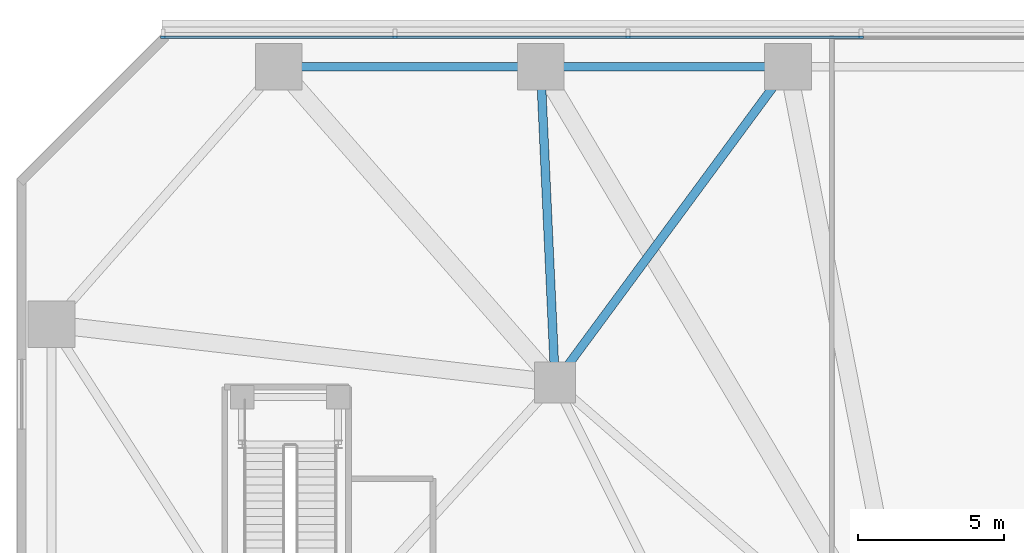
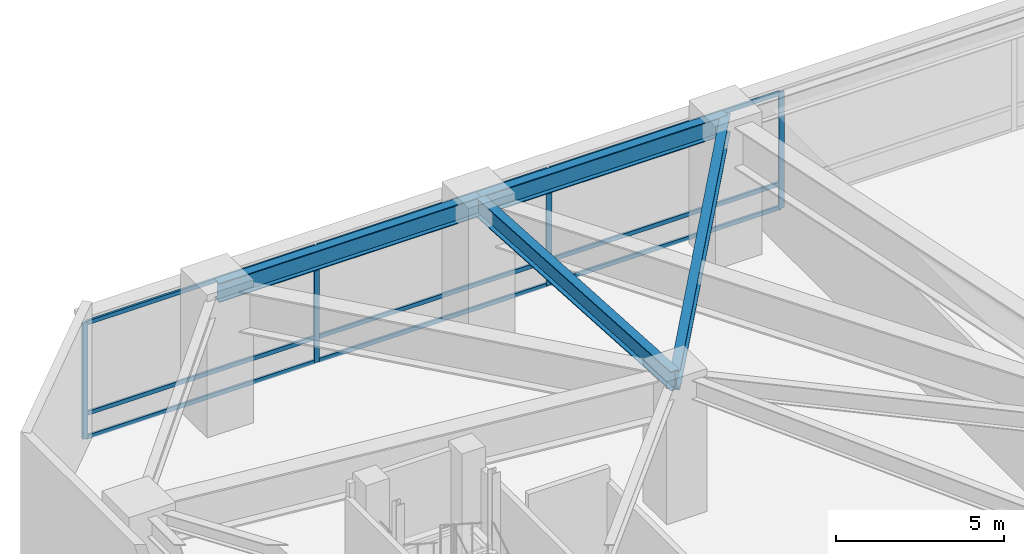
# One storey, part 9 of 28: 13 members, 4 beams, 1 element without a shape of its own.
"""IFC4 building model written with IfcOpenShell, lengths in metres."""

from ifc_helpers import new_model, si_unit, direction, frame, origin, origin_2d, place, context, subcontext, project, spatial, rectangle, i_section, extrude, material, layer, layer_set, material_profile, profile_set, type_object, element, aggregate, save


model = new_model("IFC4")

# Units and contexts
model_context = context("Model", 3, precision=1e-05, world=origin(), true_north=direction((0.0, 1.0)))
body_context = subcontext(model_context, "Body", "Model", "MODEL_VIEW")
ifc_project = project(units=[si_unit("LENGTHUNIT", "METRE"), si_unit("AREAUNIT", "SQUARE_METRE"), si_unit("VOLUMEUNIT", "CUBIC_METRE"), si_unit("PLANEANGLEUNIT", "RADIAN"), si_unit("MASSUNIT", "GRAM", prefix="KILO")], contexts=[model_context])

# Site, building, storey
site_placement = place(None, origin())
site = spatial("IfcSite", under=ifc_project, at=site_placement, CompositionType="ELEMENT")
building_placement = place(site_placement, origin())
building = spatial("IfcBuilding", under=site, at=building_placement, Name="Terralouvre Media Tower", CompositionType="ELEMENT")
storey_placement = place(building_placement, frame((0.0, 0.0, 10.39990234375)))
storey = spatial("IfcBuildingStorey", under=building, at=storey_placement, Name="L02", CompositionType="ELEMENT", Elevation=10.39990234375)

# Curtain wall, members
ifc_material_1 = material(Name="Low-iron laminated double glazing with solar-control coating", Category="glass")
ifc_layer = layer(ifc_material_1, 0.1650390625, Name="Podium Broadcast Gallery Glazing CW-01")
ifc_layer_set = layer_set([ifc_layer], Name="Low-iron laminated double glazing with solar-control coating")
curtain_wall_type = type_object("IfcCurtainWallType", Name="Podium Broadcast Gallery Glazing CW-01", PredefinedType="NOTDEFINED", material=ifc_layer_set)
curtain_wall_placement = place(storey_placement, origin())
curtain_wall = element("IfcCurtainWall", 1, at=curtain_wall_placement, inside=storey, type_object=curtain_wall_type, Name="L02 Podium Curtain Wall F4", PredefinedType="NOTDEFINED")
ifc_material_2 = material(Name="Anodised extruded aluminium 6063-T6", Category="aluminium")
ifc_material_profile_1 = material_profile(ifc_material_2, rectangle(XDim=0.074951171875, YDim=0.14990234375, at=origin_2d()), Name="ALU 75x150")
ifc_profile_set_1 = profile_set([ifc_material_profile_1], Name="Anodised extruded aluminium 6063-T6")
member_type_1 = type_object("IfcMemberType", Name="Curtain-Wall Horizontal Transom TR-150", PredefinedType="USERDEFINED", material=ifc_profile_set_1)
member_1_placement = place(storey_placement, frame((-8.03759765625, 33.360107421875, 0.03759765625), z_axis=(-1.0, 0.0, 0.0), x_axis=(0.0, -1.0, 0.0)))
member_1 = element("IfcMember", 2, at=member_1_placement, type_object=member_type_1, Name="CW-01 transom 6.1", ObjectType="TRANSOM", PredefinedType="USERDEFINED", context=body_context, shape_type="SweptSolid", body=[
    extrude(rectangle(XDim=0.074951171875, YDim=0.14990234375, at=origin_2d()), origin(), (0.0, 0.0, 1.0), 7.9248046875),
])
member_2_placement = place(storey_placement, frame((-8.03759765625, 33.360107421875, 0.900146484375), z_axis=(-1.0, 0.0, 0.0), x_axis=(0.0, -1.0, 0.0)))
member_2 = element("IfcMember", 3, at=member_2_placement, type_object=member_type_1, Name="CW-01 transom 6.2", ObjectType="TRANSOM", PredefinedType="USERDEFINED", context=body_context, shape_type="SweptSolid", body=[
    extrude(rectangle(XDim=0.074951171875, YDim=0.14990234375, at=origin_2d()), origin(), (0.0, 0.0, 1.0), 7.9248046875),
])
member_3_placement = place(storey_placement, frame((-8.03759765625, 33.360107421875, 4.192626953125), z_axis=(-1.0, 0.0, 0.0), x_axis=(0.0, -1.0, 0.0)))
member_3 = element("IfcMember", 4, at=member_3_placement, type_object=member_type_1, Name="CW-01 transom 6.3", ObjectType="TRANSOM", PredefinedType="USERDEFINED", context=body_context, shape_type="SweptSolid", body=[
    extrude(rectangle(XDim=0.074951171875, YDim=0.14990234375, at=origin_2d()), origin(), (0.0, 0.0, 1.0), 7.9248046875),
])
member_4_placement = place(storey_placement, frame((-16.03759765625, 33.360107421875, 0.03759765625), z_axis=(-1.0, 0.0, 0.0), x_axis=(0.0, -1.0, 0.0)))
member_4 = element("IfcMember", 5, at=member_4_placement, type_object=member_type_1, Name="CW-01 transom 7.1", ObjectType="TRANSOM", PredefinedType="USERDEFINED", context=body_context, shape_type="SweptSolid", body=[
    extrude(rectangle(XDim=0.074951171875, YDim=0.14990234375, at=origin_2d()), origin(), (0.0, 0.0, 1.0), 7.9248046875),
])
member_5_placement = place(storey_placement, frame((-16.03759765625, 33.360107421875, 0.900146484375), z_axis=(-1.0, 0.0, 0.0), x_axis=(0.0, -1.0, 0.0)))
member_5 = element("IfcMember", 6, at=member_5_placement, type_object=member_type_1, Name="CW-01 transom 7.2", ObjectType="TRANSOM", PredefinedType="USERDEFINED", context=body_context, shape_type="SweptSolid", body=[
    extrude(rectangle(XDim=0.074951171875, YDim=0.14990234375, at=origin_2d()), origin(), (0.0, 0.0, 1.0), 7.9248046875),
])
member_6_placement = place(storey_placement, frame((-16.03759765625, 33.360107421875, 4.192626953125), z_axis=(-1.0, 0.0, 0.0), x_axis=(0.0, -1.0, 0.0)))
member_6 = element("IfcMember", 7, at=member_6_placement, type_object=member_type_1, Name="CW-01 transom 7.3", ObjectType="TRANSOM", PredefinedType="USERDEFINED", context=body_context, shape_type="SweptSolid", body=[
    extrude(rectangle(XDim=0.074951171875, YDim=0.14990234375, at=origin_2d()), origin(), (0.0, 0.0, 1.0), 7.9248046875),
])
member_7_placement = place(storey_placement, frame((-24.03759765625, 33.360107421875, 0.03759765625), z_axis=(-1.0, 0.0, 0.0), x_axis=(0.0, -1.0, 0.0)))
member_7 = element("IfcMember", 8, at=member_7_placement, type_object=member_type_1, Name="CW-01 transom 8.1", ObjectType="TRANSOM", PredefinedType="USERDEFINED", context=body_context, shape_type="SweptSolid", body=[
    extrude(rectangle(XDim=0.074951171875, YDim=0.14990234375, at=origin_2d()), origin(), (0.0, 0.0, 1.0), 7.887451171875),
])
member_8_placement = place(storey_placement, frame((-24.03759765625, 33.360107421875, 0.900146484375), z_axis=(-1.0, 0.0, 0.0), x_axis=(0.0, -1.0, 0.0)))
member_8 = element("IfcMember", 9, at=member_8_placement, type_object=member_type_1, Name="CW-01 transom 8.2", ObjectType="TRANSOM", PredefinedType="USERDEFINED", context=body_context, shape_type="SweptSolid", body=[
    extrude(rectangle(XDim=0.074951171875, YDim=0.14990234375, at=origin_2d()), origin(), (0.0, 0.0, 1.0), 7.887451171875),
])
member_9_placement = place(storey_placement, frame((-24.03759765625, 33.360107421875, 4.192626953125), z_axis=(-1.0, 0.0, 0.0), x_axis=(0.0, -1.0, 0.0)))
member_9 = element("IfcMember", 10, at=member_9_placement, type_object=member_type_1, Name="CW-01 transom 8.3", ObjectType="TRANSOM", PredefinedType="USERDEFINED", context=body_context, shape_type="SweptSolid", body=[
    extrude(rectangle(XDim=0.074951171875, YDim=0.14990234375, at=origin_2d()), origin(), (0.0, 0.0, 1.0), 7.887451171875),
])
ifc_material_3 = material(Name="Anodised extruded aluminium 6063-T6", Category="aluminium")
ifc_material_profile_2 = material_profile(ifc_material_3, rectangle(XDim=0.074951171875, YDim=0.179931640625, at=origin_2d()), Name="ALU 75x180")
ifc_profile_set_2 = profile_set([ifc_material_profile_2], Name="Anodised extruded aluminium 6063-T6")
member_type_2 = type_object("IfcMemberType", Name="Curtain-Wall Vertical Mullion ML-180", PredefinedType="MULLION", material=ifc_profile_set_2)
member_10_placement = place(storey_placement, frame((-8.0, 33.360107421875, 0.0), z_axis=(0.0, 0.0, 1.0), x_axis=(0.0, -1.0, 0.0)))
member_10 = element("IfcMember", 11, at=member_10_placement, type_object=member_type_2, Name="CW-01 mullion 6", PredefinedType="MULLION", context=body_context, shape_type="SweptSolid", body=[
    extrude(rectangle(XDim=0.074951171875, YDim=0.179931640625, at=origin_2d()), origin(), (0.0, 0.0, 1.0), 4.22998046875),
])
member_11_placement = place(storey_placement, frame((-16.0, 33.360107421875, 0.0), z_axis=(0.0, 0.0, 1.0), x_axis=(0.0, -1.0, 0.0)))
member_11 = element("IfcMember", 12, at=member_11_placement, type_object=member_type_2, Name="CW-01 mullion 7", PredefinedType="MULLION", context=body_context, shape_type="SweptSolid", body=[
    extrude(rectangle(XDim=0.074951171875, YDim=0.179931640625, at=origin_2d()), origin(), (0.0, 0.0, 1.0), 4.22998046875),
])
member_12_placement = place(storey_placement, frame((-24.0, 33.360107421875, 0.0), z_axis=(0.0, 0.0, 1.0), x_axis=(0.0, -1.0, 0.0)))
member_12 = element("IfcMember", 13, at=member_12_placement, type_object=member_type_2, Name="CW-01 mullion 8", PredefinedType="MULLION", context=body_context, shape_type="SweptSolid", body=[
    extrude(rectangle(XDim=0.074951171875, YDim=0.179931640625, at=origin_2d()), origin(), (0.0, 0.0, 1.0), 4.22998046875),
])
member_13_placement = place(storey_placement, frame((-31.96240234375, 33.360107421875, 0.0), z_axis=(0.0, 0.0, 1.0), x_axis=(0.0, -1.0, 0.0)))
member_13 = element("IfcMember", 14, at=member_13_placement, type_object=member_type_2, Name="CW-01 mullion 9", PredefinedType="MULLION", context=body_context, shape_type="SweptSolid", body=[
    extrude(rectangle(XDim=0.074951171875, YDim=0.179931640625, at=origin_2d()), origin(), (0.0, 0.0, 1.0), 4.22998046875),
])
aggregate(curtain_wall, [member_10, member_11, member_12, member_13, member_1, member_2, member_3, member_4, member_5, member_6, member_7, member_8, member_9])

# Beams
ifc_material_4 = material(Name="Structural steel S460M", Category="steel")
ifc_material_profile_3 = material_profile(ifc_material_4, i_section(OverallWidth=0.300048828125, OverallDepth=0.699951171875, WebThickness=0.01708984375, FlangeThickness=0.031982421875, at=origin_2d()), Name="HEB 700")
ifc_profile_set_3 = profile_set([ifc_material_profile_3], Name="Structural steel S460M")
beam_type = type_object("IfcBeamType", Name="Primary Floor Girder B-HEB700 (HEB 700)", PredefinedType="BEAM", material=ifc_profile_set_3)
beam_1_placement = place(storey_placement, frame((-18.5, 21.5, 4.60009765625), z_axis=(-0.046033681898, 0.998939888147, 0.0), x_axis=(-0.998939888147, -0.046033681898, 0.0)))
element("IfcBeam", 15, at=beam_1_placement, inside=storey, type_object=beam_type, Name="L02 Framing Beam BM-L02-PM19P1", PredefinedType="BEAM", context=body_context, shape_type="SweptSolid", body=[
    extrude(i_section(OverallWidth=0.300048828125, OverallDepth=0.699951171875, WebThickness=0.01708984375, FlangeThickness=0.031982421875, at=origin_2d()), origin(), (0.0, 0.0, 1.0), 10.861572265625),
])
beam_2_placement = place(storey_placement, frame((-18.5, 21.5, 4.60009765625), z_axis=(0.593448591359, 0.804871896276, 0.0), x_axis=(-0.804871896276, 0.593448591359, 0.0)))
element("IfcBeam", 16, at=beam_2_placement, inside=storey, type_object=beam_type, Name="L02 Framing Beam BM-L02-PM19P2", PredefinedType="BEAM", context=body_context, shape_type="SweptSolid", body=[
    extrude(i_section(OverallWidth=0.300048828125, OverallDepth=0.699951171875, WebThickness=0.01708984375, FlangeThickness=0.031982421875, at=origin_2d()), origin(), (0.0, 0.0, 1.0), 13.48046875),
])
beam_3_placement = place(storey_placement, frame((-10.5, 32.35009765625, 4.60009765625), z_axis=(-1.0, 0.0, 0.0), x_axis=(0.0, -1.0, 0.0)))
element("IfcBeam", 17, at=beam_3_placement, inside=storey, type_object=beam_type, Name="L02 Framing Beam BM-L02-PR14", PredefinedType="BEAM", context=body_context, shape_type="SweptSolid", body=[
    extrude(i_section(OverallWidth=0.300048828125, OverallDepth=0.699951171875, WebThickness=0.01708984375, FlangeThickness=0.031982421875, at=origin_2d()), origin(), (0.0, 0.0, 1.0), 8.5),
])
beam_4_placement = place(storey_placement, frame((-19.0, 32.35009765625, 4.60009765625), z_axis=(-1.0, 0.0, 0.0), x_axis=(0.0, -1.0, 0.0)))
element("IfcBeam", 18, at=beam_4_placement, inside=storey, type_object=beam_type, Name="L02 Framing Beam BM-L02-PR15", PredefinedType="BEAM", context=body_context, shape_type="SweptSolid", body=[
    extrude(i_section(OverallWidth=0.300048828125, OverallDepth=0.699951171875, WebThickness=0.01708984375, FlangeThickness=0.031982421875, at=origin_2d()), origin(), (0.0, 0.0, 1.0), 9.0),
])

save(model, "model.ifc")
